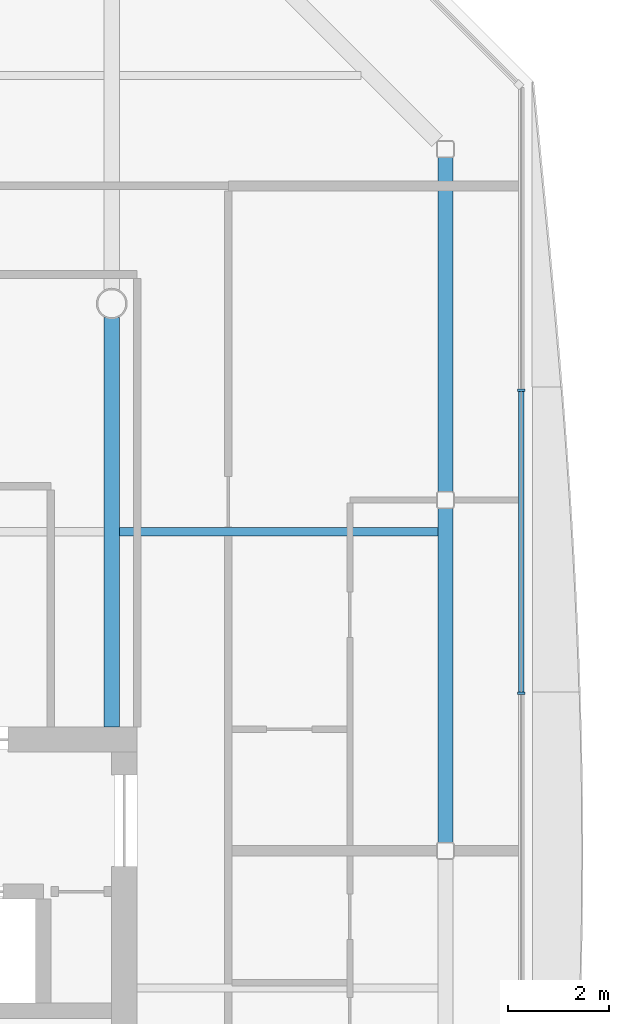
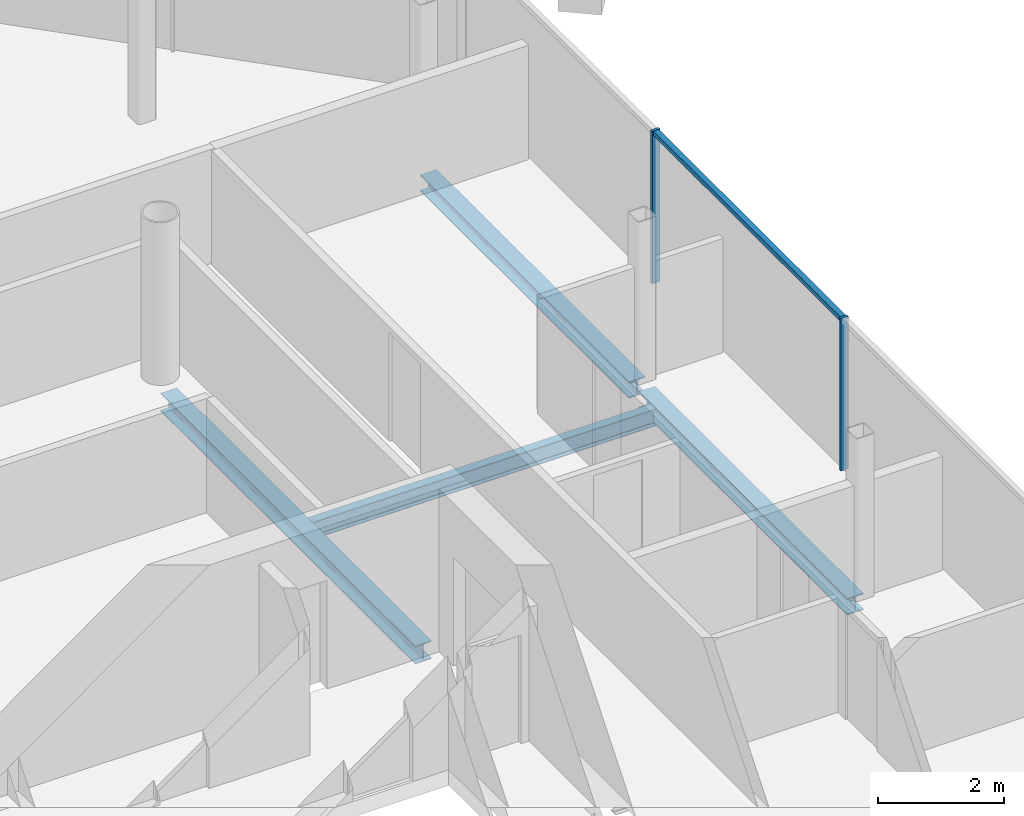
# One storey, part 9 of 20: 4 beams, 3 members, 1 element without a shape of its own.
"""IFC4 building model written with IfcOpenShell, lengths in metres."""

from ifc_helpers import new_model, si_unit, direction, frame, origin, origin_2d, place, context, subcontext, project, spatial, rectangle, i_section, extrude, material, material_profile, profile_set, type_object, element, aggregate, save


model = new_model("IFC4")

# Units and contexts
model_context = context("Model", 3, precision=1e-05, world=origin(), true_north=direction((0.0, 1.0)))
body_context = subcontext(model_context, "Body", "Model", "MODEL_VIEW")
ifc_project = project(units=[si_unit("LENGTHUNIT", "METRE"), si_unit("AREAUNIT", "SQUARE_METRE"), si_unit("VOLUMEUNIT", "CUBIC_METRE"), si_unit("PLANEANGLEUNIT", "RADIAN"), si_unit("MASSUNIT", "GRAM", prefix="KILO")], contexts=[model_context])

# Site, building, storey
site_placement = place(None, origin())
site = spatial("IfcSite", under=ifc_project, at=site_placement, CompositionType="ELEMENT")
building_placement = place(site_placement, origin())
building = spatial("IfcBuilding", under=site, at=building_placement, Name="Tskaro Facet Tower", CompositionType="ELEMENT")
storey_placement = place(building_placement, frame((0.0, 0.0, 194.25)))
storey = spatial("IfcBuildingStorey", under=building, at=storey_placement, Name="L49", CompositionType="ELEMENT", Elevation=194.25)

# Curtain wall, members
ifc_material_1 = material(Name="Bronze anodised aluminium 6063-T6", Category="aluminium")
curtain_wall_type = type_object("IfcCurtainWallType", Name="Bronze residence curtain wall (FW3)", PredefinedType="NOTDEFINED", material=ifc_material_1)
curtain_wall_placement = place(storey_placement, origin())
curtain_wall = element("IfcCurtainWall", 1, at=curtain_wall_placement, inside=storey, type_object=curtain_wall_type, Name="FW3 east facet L49", PredefinedType="NOTDEFINED")
ifc_material_profile_1 = material_profile(ifc_material_1, rectangle(XDim=0.050048828125, YDim=0.139892578125, at=origin_2d()), Name="Mullion 50x140")
ifc_profile_set_1 = profile_set([ifc_material_profile_1], Name="Bronze anodised aluminium 6063-T6")
member_type_1 = type_object("IfcMemberType", Name="FW3 bronze mullion 50x140", PredefinedType="MULLION", material=ifc_profile_set_1)
member_1_placement = place(storey_placement, frame((17.080078125, 1.314697265625, 0.0), z_axis=(0.0, 0.0, 1.0), x_axis=(0.0, 1.0, 0.0)))
member_1 = element("IfcMember", 2, at=member_1_placement, type_object=member_type_1, Name="FW3 east mullion 3", PredefinedType="MULLION", context=body_context, shape_type="SweptSolid", body=[
    extrude(rectangle(XDim=0.050048828125, YDim=0.139892578125, at=origin_2d()), origin(), (0.0, 0.0, 1.0), 2.949951171875),
])
member_2_placement = place(storey_placement, frame((17.080078125, 7.29248046875, 0.0), z_axis=(0.0, 0.0, 1.0), x_axis=(0.0, 1.0, 0.0)))
member_2 = element("IfcMember", 3, at=member_2_placement, type_object=member_type_1, Name="FW3 east mullion 4", PredefinedType="MULLION", context=body_context, shape_type="SweptSolid", body=[
    extrude(rectangle(XDim=0.050048828125, YDim=0.139892578125, at=origin_2d()), origin(), (0.0, 0.0, 1.0), 2.949951171875),
])
ifc_material_profile_2 = material_profile(ifc_material_1, rectangle(XDim=0.10009765625, YDim=0.090087890625, at=origin_2d()), Name="Transom 100x90")
ifc_profile_set_2 = profile_set([ifc_material_profile_2], Name="Bronze anodised aluminium 6063-T6")
member_type_2 = type_object("IfcMemberType", Name="FW3 bronze transom 100x90", PredefinedType="USERDEFINED", material=ifc_profile_set_2)
member_3_placement = place(storey_placement, frame((17.080078125, 1.33984375, 2.905029296875), z_axis=(0.0, 1.0, 0.0), x_axis=(-1.0, 0.0, 0.0)))
member_3 = element("IfcMember", 4, at=member_3_placement, type_object=member_type_2, Name="FW3 east transom 4.1", ObjectType="TRANSOM", PredefinedType="USERDEFINED", context=body_context, shape_type="SweptSolid", body=[
    extrude(rectangle(XDim=0.10009765625, YDim=0.090087890625, at=origin_2d()), origin(), (0.0, 0.0, 1.0), 5.927490234375),
])
aggregate(curtain_wall, [member_1, member_2, member_3])

# Beams
ifc_material_2 = material(Name="Steel S355J2", Category="steel")
ifc_material_profile_3 = material_profile(ifc_material_2, i_section(OverallWidth=0.300048828125, OverallDepth=0.320068359375, WebThickness=0.011474609375, FlangeThickness=0.0205078125, FilletRadius=0.027099609375, at=origin_2d()), Name="HE 320 B")
ifc_profile_set_3 = profile_set([ifc_material_profile_3], Name="Steel S355J2")
beam_type_1 = type_object("IfcBeamType", Name="HE 320 B ring beam", PredefinedType="BEAM", material=ifc_profile_set_3)
beam_1_placement = place(storey_placement, frame((15.5830078125, -1.637939453125, -0.300048828125), z_axis=(0.0, 1.0, 0.0), x_axis=(-1.0, 0.0, 0.0)))
element("IfcBeam", 5, at=beam_1_placement, inside=storey, type_object=beam_type_1, Name="HE 320 B EB8-4", PredefinedType="BEAM", context=body_context, shape_type="SweptSolid", body=[
    extrude(i_section(OverallWidth=0.300048828125, OverallDepth=0.320068359375, WebThickness=0.011474609375, FlangeThickness=0.0205078125, FilletRadius=0.027099609375, at=origin_2d()), origin(), (0.0, 0.0, 1.0), 6.60888671875),
])
beam_2_placement = place(storey_placement, frame((15.5830078125, 5.281005859375, -0.300048828125), z_axis=(0.0, 1.0, 0.0), x_axis=(-1.0, 0.0, 0.0)))
element("IfcBeam", 6, at=beam_2_placement, inside=storey, type_object=beam_type_1, Name="HE 320 B EB9-4", PredefinedType="BEAM", context=body_context, shape_type="SweptSolid", body=[
    extrude(i_section(OverallWidth=0.300048828125, OverallDepth=0.320068359375, WebThickness=0.011474609375, FlangeThickness=0.0205078125, FilletRadius=0.027099609375, at=origin_2d()), origin(), (0.0, 0.0, 1.0), 6.610107421875),
])
ifc_material_profile_4 = material_profile(ifc_material_2, i_section(OverallWidth=0.300048828125, OverallDepth=0.35009765625, WebThickness=0.010009765625, FlangeThickness=0.017578125, FilletRadius=0.027099609375, at=origin_2d()), Name="HE 360 A")
ifc_profile_set_4 = profile_set([ifc_material_profile_4], Name="Steel S355J2")
beam_type_2 = type_object("IfcBeamType", Name="HE 360 A girder", PredefinedType="BEAM", material=ifc_profile_set_4)
beam_3_placement = place(storey_placement, frame((9.0, 0.64990234375, -0.31494140625), z_axis=(0.0, 1.0, 0.0), x_axis=(-1.0, 0.0, 0.0)))
element("IfcBeam", 7, at=beam_3_placement, inside=storey, type_object=beam_type_2, Name="HE 360 A GB5-2-4", PredefinedType="BEAM", context=body_context, shape_type="SweptSolid", body=[
    extrude(i_section(OverallWidth=0.300048828125, OverallDepth=0.35009765625, WebThickness=0.010009765625, FlangeThickness=0.017578125, FilletRadius=0.027099609375, at=origin_2d()), origin(), (0.0, 0.0, 1.0), 8.0751953125),
])
ifc_material_profile_5 = material_profile(ifc_material_2, i_section(OverallWidth=0.159912109375, OverallDepth=0.330078125, WebThickness=0.007568359375, FlangeThickness=0.011474609375, FilletRadius=0.01806640625, at=origin_2d()), Name="IPE 330")
ifc_profile_set_5 = profile_set([ifc_material_profile_5], Name="Steel S355J2")
beam_type_3 = type_object("IfcBeamType", Name="IPE 330 secondary beam", PredefinedType="BEAM", material=ifc_profile_set_5)
beam_4_placement = place(storey_placement, frame((9.14990234375, 4.5, -0.304931640625), z_axis=(1.0, 0.0, 0.0), x_axis=(0.0, 1.0, 0.0)))
element("IfcBeam", 8, at=beam_4_placement, inside=storey, type_object=beam_type_3, Name="IPE 330 SB4a-5-4", PredefinedType="BEAM", context=body_context, shape_type="SweptSolid", body=[
    extrude(i_section(OverallWidth=0.159912109375, OverallDepth=0.330078125, WebThickness=0.007568359375, FlangeThickness=0.011474609375, FilletRadius=0.01806640625, at=origin_2d()), origin(), (0.0, 0.0, 1.0), 6.283203125),
])

save(model, "model.ifc")
